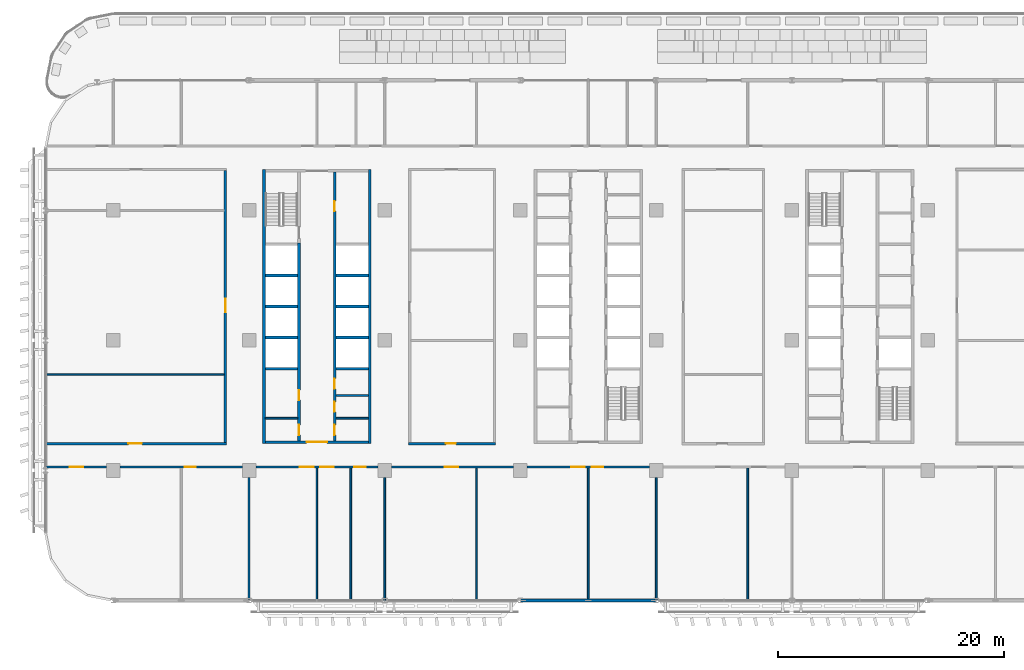
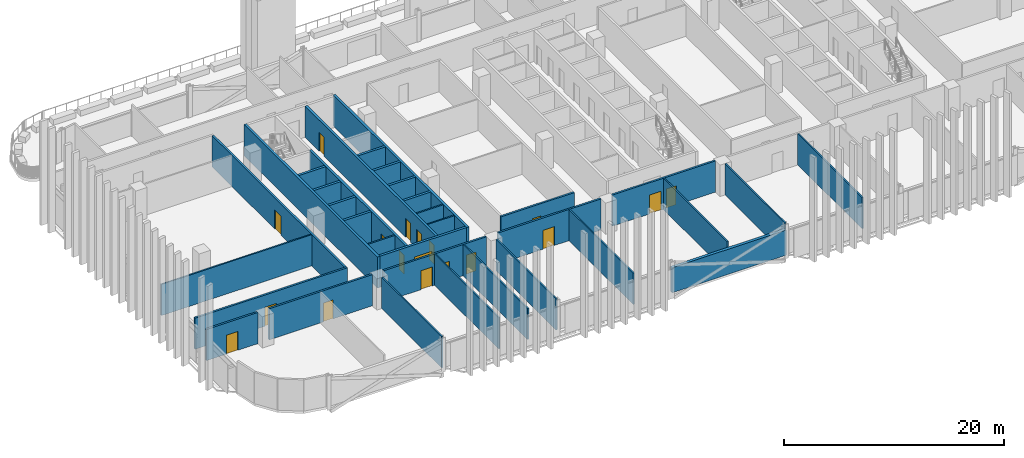
# One storey, part 10 of 30: 34 walls, 18 doors, 18 openings.
"""IFC4 building model written with IfcOpenShell, lengths in metres."""

from ifc_helpers import new_model, si_unit, direction, frame, frame_2d, origin, place, context, subcontext, project, spatial, rectangle, extrude, material, layer, layer_set, type_object, element, fill, save


model = new_model("IFC4")

# Units and contexts
model_context = context("Model", 3, precision=1e-05, world=origin(), true_north=direction((0.0, 1.0)))
body_context = subcontext(model_context, "Body", "Model", "MODEL_VIEW")
ifc_project = project(units=[si_unit("LENGTHUNIT", "METRE"), si_unit("AREAUNIT", "SQUARE_METRE"), si_unit("VOLUMEUNIT", "CUBIC_METRE"), si_unit("PLANEANGLEUNIT", "RADIAN"), si_unit("MASSUNIT", "GRAM", prefix="KILO")], contexts=[model_context])

# Site, building, storey
site_placement = place(None, origin())
site = spatial("IfcSite", under=ifc_project, at=site_placement, CompositionType="ELEMENT")
building_placement = place(site_placement, origin())
building = spatial("IfcBuilding", under=site, at=building_placement, Name="Mahtab Terrace Research Tower", CompositionType="ELEMENT")
storey_placement = place(building_placement, frame((0.0, 0.0, 159.199951171875)))
storey = spatial("IfcBuildingStorey", under=building, at=storey_placement, Name="L37", CompositionType="ELEMENT", Elevation=159.199951171875)

# Walls
ifc_material_1 = material(Name="Gypsum board partition")
ifc_layer_1 = layer(ifc_material_1, 0.14990234375)
ifc_layer_set_1 = layer_set([ifc_layer_1], Name="Core partition 150")
wall_type_1 = type_object("IfcWallType", Name="Core partition 150", PredefinedType="PARTITIONING", material=ifc_layer_set_1)
for number, where, z_axis, x_axis, name in (
    (1, (-28.550048828125, -6.875, 0.0), (0.0, 0.0, 1.0), (1.0, 0.0, 0.0), "Core wall A pWS-988"),
    (2, (-22.300048828125, -6.875, 0.0), (0.0, 0.0, 1.0), (1.0, 0.0, 0.0), "Core wall A pES-988"),
    (3, (-22.300048828125, -4.875, 0.0), (0.0, 0.0, 1.0), (1.0, 0.0, 0.0), "Core wall A pES-788"),
):
    element("IfcWall", number, at=place(storey_placement, frame(where, z_axis=z_axis, x_axis=x_axis)), inside=storey, type_object=wall_type_1, Name=name, PredefinedType="PARTITIONING", context=body_context, shape_type="SweptSolid", body=[
        extrude(rectangle(XDim=2.85009765625, YDim=0.14990234375, at=frame_2d((1.425048828125, 0.0))), origin(), (0.0, 0.0, 1.0), 3.4599609375),
    ])
ifc_material_2 = material(Name="Concrete C70/85", Category="concrete")
ifc_layer_2 = layer(ifc_material_2, 0.25)
ifc_layer_set_2 = layer_set([ifc_layer_2], Name="Core wall 250")
wall_type_2 = type_object("IfcWallType", Name="Core wall 250", PredefinedType="SOLIDWALL", material=ifc_layer_set_2)
for number, where, z_axis, x_axis, name in (
    (4, (-28.675048828125, 15.125, 0.0), (0.0, 0.0, 1.0), (0.0, -1.0, 0.0), "Core wall A outerW"),
    (5, (-19.324951171875, -9.125, 0.0), (0.0, 0.0, 1.0), (0.0, 1.0, 0.0), "Core wall A outerE"),
):
    element("IfcWall", number, at=place(storey_placement, frame(where, z_axis=z_axis, x_axis=x_axis)), inside=storey, type_object=wall_type_2, Name=name, PredefinedType="SOLIDWALL", context=body_context, shape_type="SweptSolid", body=[
        extrude(rectangle(XDim=24.25, YDim=0.25, at=frame_2d((12.125, 0.0))), origin(), (0.0, 0.0, 1.0), 3.4599609375),
    ])

# Wall, opening, door
wall_1_placement = place(storey_placement, frame((-19.449951171875, -9.0, 0.0), z_axis=(0.0, 0.0, 1.0), x_axis=(-1.0, 0.0, 0.0)))
wall_1 = element("IfcWall", 6, at=wall_1_placement, inside=storey, type_object=wall_type_2, Name="Core wall A endS", PredefinedType="SOLIDWALL", context=body_context, shape_type="SweptSolid", body=[
    extrude(rectangle(XDim=9.10009765625, YDim=0.25, at=frame_2d((4.550048828125, 0.0))), origin(), (0.0, 0.0, 1.0), 3.4599609375),
])
opening_1_placement = place(wall_1_placement, frame((3.64990234375, 0.0, 0.0)))
opening_1 = element("IfcOpeningElement", 7, at=opening_1_placement, cuts=wall_1, Name="Opening A-S1", PredefinedType="OPENING", context=body_context, shape_type="SweptSolid", body=[
    extrude(rectangle(XDim=1.800048828125, YDim=2.10009765625, at=frame_2d((0.89990234375, 1.050048828125))), frame((0.0, 0.135009765625, 0.0), z_axis=(0.0, -1.0, 0.0), x_axis=(1.0, 0.0, 0.0)), (0.0, 0.0, 1.0), 0.27001953125),
])
ifc_material_3 = material(Name="Steel fire door", Category="steel")
door_type_1 = type_object("IfcDoorType", Name="Lobby double door 1800x2100 1 HR", OperationType="DOUBLE_DOOR_SINGLE_SWING", PredefinedType="DOOR", material=ifc_material_3)
door_1_placement = place(opening_1_placement, origin())
door_1 = element("IfcDoor", 8, at=door_1_placement, inside=storey, type_object=door_type_1, Name="Core entrance door A S", OperationType="DOUBLE_DOOR_SINGLE_SWING", OverallHeight=2.10009765625, OverallWidth=1.800048828125, PredefinedType="DOOR", context=body_context, shape_type="SweptSolid", body=[
    extrude(rectangle(XDim=1.800048828125, YDim=2.10009765625, at=frame_2d((0.89990234375, 1.050048828125))), frame((0.0, 0.02490234375, 0.0), z_axis=(0.0, -1.0, 0.0), x_axis=(1.0, 0.0, 0.0)), (0.0, 0.0, 1.0), 0.050048828125),
])
fill(opening_1, door_1)

# Wall, openings, doors
wall_2_placement = place(storey_placement, frame((-25.574951171875, -8.875, 0.0), z_axis=(0.0, 0.0, 1.0), x_axis=(0.0, 1.0, 0.0)))
wall_2 = element("IfcWall", 9, at=wall_2_placement, inside=storey, type_object=wall_type_2, Name="Core wall A innerWSL", PredefinedType="SOLIDWALL", context=body_context, shape_type="SweptSolid", body=[
    extrude(rectangle(XDim=17.5, YDim=0.25, at=frame_2d((8.75, 0.0))), origin(), (0.0, 0.0, 1.0), 3.4599609375),
])
opening_2_placement = place(wall_2_placement, frame((0.512451171875, 0.0, 0.0)))
opening_2 = element("IfcOpeningElement", 10, at=opening_2_placement, cuts=wall_2, Name="Opening A-R1", PredefinedType="OPENING", context=body_context, shape_type="SweptSolid", body=[
    extrude(rectangle(XDim=0.89990234375, YDim=2.10009765625, at=frame_2d((0.449951171875, 1.050048828125))), frame((0.0, 0.135009765625, 0.0), z_axis=(0.0, -1.0, 0.0), x_axis=(1.0, 0.0, 0.0)), (0.0, 0.0, 1.0), 0.27001953125),
])
opening_3_placement = place(wall_2_placement, frame((3.58740234375, 0.0, 0.0)))
opening_3 = element("IfcOpeningElement", 11, at=opening_3_placement, cuts=wall_2, Name="Opening A-R2", PredefinedType="OPENING", context=body_context, shape_type="SweptSolid", body=[
    extrude(rectangle(XDim=0.89990234375, YDim=2.10009765625, at=frame_2d((0.449951171875, 1.050048828125))), frame((0.0, 0.135009765625, 0.0), z_axis=(0.0, -1.0, 0.0), x_axis=(1.0, 0.0, 0.0)), (0.0, 0.0, 1.0), 0.27001953125),
])
door_type_2 = type_object("IfcDoorType", Name="Room door 900x2100 1 HR", OperationType="NOTDEFINED", PredefinedType="DOOR", material=ifc_material_3)
door_2_placement = place(opening_2_placement, origin())
door_2 = element("IfcDoor", 12, at=door_2_placement, inside=storey, type_object=door_type_2, Name="Accessible WC door", OperationType="SINGLE_SWING_LEFT", OverallHeight=2.10009765625, OverallWidth=0.89990234375, PredefinedType="DOOR", context=body_context, shape_type="SweptSolid", body=[
    extrude(rectangle(XDim=0.89990234375, YDim=2.10009765625, at=frame_2d((0.449951171875, 1.050048828125))), frame((0.0, 0.02490234375, 0.0), z_axis=(0.0, -1.0, 0.0), x_axis=(1.0, 0.0, 0.0)), (0.0, 0.0, 1.0), 0.050048828125),
])
fill(opening_2, door_2)
door_3_placement = place(opening_3_placement, origin())
door_3 = element("IfcDoor", 13, at=door_3_placement, inside=storey, type_object=door_type_2, Name="WC block door", OperationType="SINGLE_SWING_RIGHT", OverallHeight=2.10009765625, OverallWidth=0.89990234375, PredefinedType="DOOR", context=body_context, shape_type="SweptSolid", body=[
    extrude(rectangle(XDim=0.89990234375, YDim=2.10009765625, at=frame_2d((0.449951171875, 1.050048828125))), frame((0.0, 0.02490234375, 0.0), z_axis=(0.0, -1.0, 0.0), x_axis=(1.0, 0.0, 0.0)), (0.0, 0.0, 1.0), 0.050048828125),
])
fill(opening_3, door_3)

wall_3_placement = place(storey_placement, frame((-22.425048828125, 14.875, 0.0), z_axis=(0.0, 0.0, 1.0), x_axis=(0.0, -1.0, 0.0)))
wall_3 = element("IfcWall", 14, at=wall_3_placement, inside=storey, type_object=wall_type_2, Name="Core wall A innerESLN", PredefinedType="SOLIDWALL", context=body_context, shape_type="SweptSolid", body=[
    extrude(rectangle(XDim=23.75, YDim=0.25, at=frame_2d((11.875, 0.0))), origin(), (0.0, 0.0, 1.0), 3.4599609375),
])
opening_4_placement = place(wall_3_placement, frame((22.33740234375, 0.0, 0.0)))
opening_4 = element("IfcOpeningElement", 15, at=opening_4_placement, cuts=wall_3, Name="Opening A-R3", PredefinedType="OPENING", context=body_context, shape_type="SweptSolid", body=[
    extrude(rectangle(XDim=0.89990234375, YDim=2.10009765625, at=frame_2d((0.449951171875, 1.050048828125))), frame((0.0, 0.135009765625, 0.0), z_axis=(0.0, -1.0, 0.0), x_axis=(1.0, 0.0, 0.0)), (0.0, 0.0, 1.0), 0.27001953125),
])
opening_5_placement = place(wall_3_placement, frame((20.300048828125, 0.0, 0.0)))
opening_5 = element("IfcOpeningElement", 16, at=opening_5_placement, cuts=wall_3, Name="Opening A-R4", PredefinedType="OPENING", context=body_context, shape_type="SweptSolid", body=[
    extrude(rectangle(XDim=0.89990234375, YDim=2.10009765625, at=frame_2d((0.449951171875, 1.050048828125))), frame((0.0, 0.135009765625, 0.0), z_axis=(0.0, -1.0, 0.0), x_axis=(1.0, 0.0, 0.0)), (0.0, 0.0, 1.0), 0.27001953125),
])
opening_6_placement = place(wall_3_placement, frame((18.262451171875, 0.0, 0.0)))
opening_6 = element("IfcOpeningElement", 17, at=opening_6_placement, cuts=wall_3, Name="Opening A-R5", PredefinedType="OPENING", context=body_context, shape_type="SweptSolid", body=[
    extrude(rectangle(XDim=0.89990234375, YDim=2.10009765625, at=frame_2d((0.449951171875, 1.050048828125))), frame((0.0, 0.135009765625, 0.0), z_axis=(0.0, -1.0, 0.0), x_axis=(1.0, 0.0, 0.0)), (0.0, 0.0, 1.0), 0.27001953125),
])
opening_7_placement = place(wall_3_placement, frame((2.550048828125, 0.0, 0.0)))
opening_7 = element("IfcOpeningElement", 18, at=opening_7_placement, cuts=wall_3, Name="Opening A-R6", PredefinedType="OPENING", context=body_context, shape_type="SweptSolid", body=[
    extrude(rectangle(XDim=0.89990234375, YDim=2.10009765625, at=frame_2d((0.449951171875, 1.050048828125))), frame((0.0, 0.135009765625, 0.0), z_axis=(0.0, -1.0, 0.0), x_axis=(1.0, 0.0, 0.0)), (0.0, 0.0, 1.0), 0.27001953125),
])
door_4_placement = place(opening_4_placement, origin())
door_4 = element("IfcDoor", 19, at=door_4_placement, inside=storey, type_object=door_type_2, Name="Comms riser room door", OperationType="SINGLE_SWING_LEFT", OverallHeight=2.10009765625, OverallWidth=0.89990234375, PredefinedType="DOOR", context=body_context, shape_type="SweptSolid", body=[
    extrude(rectangle(XDim=0.89990234375, YDim=2.10009765625, at=frame_2d((0.449951171875, 1.050048828125))), frame((0.0, 0.02490234375, 0.0), z_axis=(0.0, -1.0, 0.0), x_axis=(1.0, 0.0, 0.0)), (0.0, 0.0, 1.0), 0.050048828125),
])
fill(opening_4, door_4)
door_5_placement = place(opening_5_placement, origin())
door_5 = element("IfcDoor", 20, at=door_5_placement, inside=storey, type_object=door_type_2, Name="Pantry door", OperationType="SINGLE_SWING_RIGHT", OverallHeight=2.10009765625, OverallWidth=0.89990234375, PredefinedType="DOOR", context=body_context, shape_type="SweptSolid", body=[
    extrude(rectangle(XDim=0.89990234375, YDim=2.10009765625, at=frame_2d((0.449951171875, 1.050048828125))), frame((0.0, 0.02490234375, 0.0), z_axis=(0.0, -1.0, 0.0), x_axis=(1.0, 0.0, 0.0)), (0.0, 0.0, 1.0), 0.050048828125),
])
fill(opening_5, door_5)
door_6_placement = place(opening_6_placement, origin())
door_6 = element("IfcDoor", 21, at=door_6_placement, inside=storey, type_object=door_type_2, Name="Cleaners store door", OperationType="SINGLE_SWING_LEFT", OverallHeight=2.10009765625, OverallWidth=0.89990234375, PredefinedType="DOOR", context=body_context, shape_type="SweptSolid", body=[
    extrude(rectangle(XDim=0.89990234375, YDim=2.10009765625, at=frame_2d((0.449951171875, 1.050048828125))), frame((0.0, 0.02490234375, 0.0), z_axis=(0.0, -1.0, 0.0), x_axis=(1.0, 0.0, 0.0)), (0.0, 0.0, 1.0), 0.050048828125),
])
fill(opening_6, door_6)
door_7_placement = place(opening_7_placement, origin())
door_7 = element("IfcDoor", 22, at=door_7_placement, inside=storey, type_object=door_type_2, Name="Lift machine room door", OperationType="SINGLE_SWING_RIGHT", OverallHeight=2.10009765625, OverallWidth=0.89990234375, PredefinedType="DOOR", context=body_context, shape_type="SweptSolid", body=[
    extrude(rectangle(XDim=0.89990234375, YDim=2.10009765625, at=frame_2d((0.449951171875, 1.050048828125))), frame((0.0, 0.02490234375, 0.0), z_axis=(0.0, -1.0, 0.0), x_axis=(1.0, 0.0, 0.0)), (0.0, 0.0, 1.0), 0.050048828125),
])
fill(opening_7, door_7)

# Walls
for number, where, z_axis, x_axis, name in (
    (23, (-28.550048828125, -2.5, 0.0), (0.0, 0.0, 1.0), (1.0, 0.0, 0.0), "Core wall A divW0"),
    (24, (-28.550048828125, 0.25, 0.0), (0.0, 0.0, 1.0), (1.0, 0.0, 0.0), "Core wall A divW1"),
    (25, (-28.550048828125, 3.0, 0.0), (0.0, 0.0, 1.0), (1.0, 0.0, 0.0), "Core wall A divW2"),
    (26, (-28.550048828125, 5.75, 0.0), (0.0, 0.0, 1.0), (1.0, 0.0, 0.0), "Core wall A divW3"),
    (27, (-22.300048828125, -2.5, 0.0), (0.0, 0.0, 1.0), (1.0, 0.0, 0.0), "Core wall A divE0"),
    (28, (-22.300048828125, 0.25, 0.0), (0.0, 0.0, 1.0), (1.0, 0.0, 0.0), "Core wall A divE1"),
    (29, (-22.300048828125, 3.0, 0.0), (0.0, 0.0, 1.0), (1.0, 0.0, 0.0), "Core wall A divE2"),
    (30, (-22.300048828125, 5.75, 0.0), (0.0, 0.0, 1.0), (1.0, 0.0, 0.0), "Core wall A divE3"),
):
    element("IfcWall", number, at=place(storey_placement, frame(where, z_axis=z_axis, x_axis=x_axis)), inside=storey, type_object=wall_type_2, Name=name, PredefinedType="SOLIDWALL", context=body_context, shape_type="SweptSolid", body=[
        extrude(rectangle(XDim=2.85009765625, YDim=0.25, at=frame_2d((1.425048828125, 0.0))), origin(), (0.0, 0.0, 1.0), 3.4599609375),
    ])
ifc_material_4 = material(Name="Black aluminium cladding panel", Category="aluminium")
ifc_layer_3 = layer(ifc_material_4, 0.300048828125)
ifc_layer_set_3 = layer_set([ifc_layer_3], Name="Opaque facade wall 300")
wall_type_3 = type_object("IfcWallType", Name="Opaque facade wall 300", PredefinedType="NOTDEFINED", material=ifc_layer_set_3)
wall_4_placement = place(storey_placement, frame((-5.985107421875, -23.0, 0.0), z_axis=(0.0, 0.0, 1.0), x_axis=(1.0, 0.0, 0.0)))
element("IfcWall", 31, at=wall_4_placement, inside=storey, type_object=wall_type_3, Name="Opaque facade wall L37 S26", PredefinedType="NOTDEFINED", context=body_context, shape_type="SweptSolid", body=[
    extrude(rectangle(XDim=11.97021484375, YDim=0.300048828125, at=frame_2d((5.985107421875, 0.0))), origin(), (0.0, 0.0, 1.0), 2.78173828125),
])

# Wall, opening, door
ifc_material_5 = material(Name="Gypsum board corridor wall on steel studs", Category="steel")
ifc_layer_4 = layer(ifc_material_5, 0.199951171875)
ifc_layer_set_4 = layer_set([ifc_layer_4], Name="WALL CORRIDOR 200")
wall_type_4 = type_object("IfcWallType", Name="WALL CORRIDOR 200", PredefinedType="PARTITIONING", material=ifc_layer_set_4)
wall_5_placement = place(storey_placement, frame((-47.97509765625, -11.199951171875, 0.0), z_axis=(0.0, 0.0, 1.0), x_axis=(1.0, 0.0, 0.0)))
wall_5 = element("IfcWall", 32, at=wall_5_placement, inside=storey, type_object=wall_type_4, Name="L37-W001", PredefinedType="PARTITIONING", context=body_context, shape_type="SweptSolid", body=[
    extrude(rectangle(XDim=5.375, YDim=0.199951171875, at=frame_2d((2.6875, 0.0))), origin(), (0.0, 0.0, 1.0), 3.4599609375),
])
opening_8_placement = place(wall_5_placement, frame((2.10009765625, 0.0, 0.0)))
opening_8 = element("IfcOpeningElement", 33, at=opening_8_placement, cuts=wall_5, Name="Opening L37-101", PredefinedType="OPENING", context=body_context, shape_type="SweptSolid", body=[
    extrude(rectangle(XDim=1.199951171875, YDim=2.10009765625, at=frame_2d((0.60009765625, 1.050048828125))), frame((0.0, 0.10986328125, 0.0), z_axis=(0.0, -1.0, 0.0), x_axis=(1.0, 0.0, 0.0)), (0.0, 0.0, 1.0), 0.219970703125),
])
ifc_material_6 = material(Name="Timber door leaf in steel frame", Category="steel")
door_type_3 = type_object("IfcDoorType", Name="DOOR 1200X2100 FD30S", OperationType="SINGLE_SWING_LEFT", PredefinedType="DOOR", material=ifc_material_6)
door_8_placement = place(opening_8_placement, origin())
door_8 = element("IfcDoor", 34, at=door_8_placement, inside=storey, type_object=door_type_3, Name="Door L37-101", OperationType="SINGLE_SWING_LEFT", OverallHeight=2.10009765625, OverallWidth=1.199951171875, PredefinedType="DOOR", context=body_context, shape_type="SweptSolid", body=[
    extrude(rectangle(XDim=1.199951171875, YDim=2.10009765625, at=frame_2d((0.60009765625, 1.050048828125))), frame((0.0, 0.02490234375, 0.0), z_axis=(0.0, -1.0, 0.0), x_axis=(1.0, 0.0, 0.0)), (0.0, 0.0, 1.0), 0.050048828125),
])
fill(opening_8, door_8)

wall_6_placement = place(storey_placement, frame((-41.39990234375, -11.199951171875, 0.0), z_axis=(0.0, 0.0, 1.0), x_axis=(1.0, 0.0, 0.0)))
wall_6 = element("IfcWall", 35, at=wall_6_placement, inside=storey, type_object=wall_type_4, Name="L37-W002", PredefinedType="PARTITIONING", context=body_context, shape_type="SweptSolid", body=[
    extrude(rectangle(XDim=10.7998046875, YDim=0.199951171875, at=frame_2d((5.39990234375, 0.0))), origin(), (0.0, 0.0, 1.0), 3.4599609375),
])
opening_9_placement = place(wall_6_placement, frame((5.699951171875, 0.0, 0.0)))
opening_9 = element("IfcOpeningElement", 36, at=opening_9_placement, cuts=wall_6, Name="Opening L37-102", PredefinedType="OPENING", context=body_context, shape_type="SweptSolid", body=[
    extrude(rectangle(XDim=1.0, YDim=2.10009765625, at=frame_2d((0.5, 1.050048828125))), frame((0.0, 0.10986328125, 0.0), z_axis=(0.0, -1.0, 0.0), x_axis=(1.0, 0.0, 0.0)), (0.0, 0.0, 1.0), 0.219970703125),
])
door_type_4 = type_object("IfcDoorType", Name="DOOR 1000X2100 FD30S", OperationType="SINGLE_SWING_LEFT", PredefinedType="DOOR", material=ifc_material_6)
door_9_placement = place(opening_9_placement, origin())
door_9 = element("IfcDoor", 37, at=door_9_placement, inside=storey, type_object=door_type_4, Name="Door L37-102", OperationType="SINGLE_SWING_LEFT", OverallHeight=2.10009765625, OverallWidth=1.0, PredefinedType="DOOR", context=body_context, shape_type="SweptSolid", body=[
    extrude(rectangle(XDim=1.0, YDim=2.10009765625, at=frame_2d((0.5, 1.050048828125))), frame((0.0, 0.02490234375, 0.0), z_axis=(0.0, -1.0, 0.0), x_axis=(1.0, 0.0, 0.0)), (0.0, 0.0, 1.0), 0.050048828125),
])
fill(opening_9, door_9)

# Wall, openings, doors
wall_7_placement = place(storey_placement, frame((-29.39990234375, -11.199951171875, 0.0), z_axis=(0.0, 0.0, 1.0), x_axis=(1.0, 0.0, 0.0)))
wall_7 = element("IfcWall", 38, at=wall_7_placement, inside=storey, type_object=wall_type_4, Name="L37-W003", PredefinedType="PARTITIONING", context=body_context, shape_type="SweptSolid", body=[
    extrude(rectangle(XDim=10.7998046875, YDim=0.199951171875, at=frame_2d((5.39990234375, 0.0))), origin(), (0.0, 0.0, 1.0), 3.4599609375),
])
opening_10_placement = place(wall_7_placement, frame((3.89990234375, 0.0, 0.0)))
opening_10 = element("IfcOpeningElement", 39, at=opening_10_placement, cuts=wall_7, Name="Opening L37-103", PredefinedType="OPENING", context=body_context, shape_type="SweptSolid", body=[
    extrude(rectangle(XDim=1.199951171875, YDim=2.10009765625, at=frame_2d((0.60009765625, 1.050048828125))), frame((0.0, 0.10986328125, 0.0), z_axis=(0.0, -1.0, 0.0), x_axis=(1.0, 0.0, 0.0)), (0.0, 0.0, 1.0), 0.219970703125),
])
opening_11_placement = place(wall_7_placement, frame((5.699951171875, 0.0, 0.0)))
opening_11 = element("IfcOpeningElement", 40, at=opening_11_placement, cuts=wall_7, Name="Opening L37-104", PredefinedType="OPENING", context=body_context, shape_type="SweptSolid", body=[
    extrude(rectangle(XDim=1.199951171875, YDim=2.10009765625, at=frame_2d((0.60009765625, 1.050048828125))), frame((0.0, 0.10986328125, 0.0), z_axis=(0.0, -1.0, 0.0), x_axis=(1.0, 0.0, 0.0)), (0.0, 0.0, 1.0), 0.219970703125),
])
opening_12_placement = place(wall_7_placement, frame((8.699951171875, 0.0, 0.0)))
opening_12 = element("IfcOpeningElement", 41, at=opening_12_placement, cuts=wall_7, Name="Opening L37-105", PredefinedType="OPENING", context=body_context, shape_type="SweptSolid", body=[
    extrude(rectangle(XDim=1.0, YDim=2.10009765625, at=frame_2d((0.5, 1.050048828125))), frame((0.0, 0.10986328125, 0.0), z_axis=(0.0, -1.0, 0.0), x_axis=(1.0, 0.0, 0.0)), (0.0, 0.0, 1.0), 0.219970703125),
])
door_10_placement = place(opening_12_placement, origin())
door_10 = element("IfcDoor", 42, at=door_10_placement, inside=storey, type_object=door_type_4, Name="Door L37-105", OperationType="SINGLE_SWING_LEFT", OverallHeight=2.10009765625, OverallWidth=1.0, PredefinedType="DOOR", context=body_context, shape_type="SweptSolid", body=[
    extrude(rectangle(XDim=1.0, YDim=2.10009765625, at=frame_2d((0.5, 1.050048828125))), frame((0.0, 0.02490234375, 0.0), z_axis=(0.0, -1.0, 0.0), x_axis=(1.0, 0.0, 0.0)), (0.0, 0.0, 1.0), 0.050048828125),
])
fill(opening_12, door_10)
door_11_placement = place(opening_10_placement, origin())
door_11 = element("IfcDoor", 43, at=door_11_placement, inside=storey, type_object=door_type_3, Name="Door L37-103", OperationType="SINGLE_SWING_RIGHT", OverallHeight=2.10009765625, OverallWidth=1.199951171875, PredefinedType="DOOR", context=body_context, shape_type="SweptSolid", body=[
    extrude(rectangle(XDim=1.199951171875, YDim=2.10009765625, at=frame_2d((0.60009765625, 1.050048828125))), frame((0.0, 0.02490234375, 0.0), z_axis=(0.0, -1.0, 0.0), x_axis=(1.0, 0.0, 0.0)), (0.0, 0.0, 1.0), 0.050048828125),
])
fill(opening_10, door_11)
door_12_placement = place(opening_11_placement, origin())
door_12 = element("IfcDoor", 44, at=door_12_placement, inside=storey, type_object=door_type_3, Name="Door L37-104", OperationType="SINGLE_SWING_LEFT", OverallHeight=2.10009765625, OverallWidth=1.199951171875, PredefinedType="DOOR", context=body_context, shape_type="SweptSolid", body=[
    extrude(rectangle(XDim=1.199951171875, YDim=2.10009765625, at=frame_2d((0.60009765625, 1.050048828125))), frame((0.0, 0.02490234375, 0.0), z_axis=(0.0, -1.0, 0.0), x_axis=(1.0, 0.0, 0.0)), (0.0, 0.0, 1.0), 0.050048828125),
])
fill(opening_11, door_12)

# Wall, opening, door
wall_8_placement = place(storey_placement, frame((-17.39990234375, -11.199951171875, 0.0), z_axis=(0.0, 0.0, 1.0), x_axis=(1.0, 0.0, 0.0)))
wall_8 = element("IfcWall", 45, at=wall_8_placement, inside=storey, type_object=wall_type_4, Name="L37-W004", PredefinedType="PARTITIONING", context=body_context, shape_type="SweptSolid", body=[
    extrude(rectangle(XDim=10.7998046875, YDim=0.199951171875, at=frame_2d((5.39990234375, 0.0))), origin(), (0.0, 0.0, 1.0), 3.4599609375),
])
opening_13_placement = place(wall_8_placement, frame((4.699951171875, 0.0, 0.0)))
opening_13 = element("IfcOpeningElement", 46, at=opening_13_placement, cuts=wall_8, Name="Opening L37-106", PredefinedType="OPENING", context=body_context, shape_type="SweptSolid", body=[
    extrude(rectangle(XDim=1.199951171875, YDim=2.10009765625, at=frame_2d((0.60009765625, 1.050048828125))), frame((0.0, 0.10986328125, 0.0), z_axis=(0.0, -1.0, 0.0), x_axis=(1.0, 0.0, 0.0)), (0.0, 0.0, 1.0), 0.219970703125),
])
door_13_placement = place(opening_13_placement, origin())
door_13 = element("IfcDoor", 47, at=door_13_placement, inside=storey, type_object=door_type_3, Name="Door L37-106", OperationType="SINGLE_SWING_RIGHT", OverallHeight=2.10009765625, OverallWidth=1.199951171875, PredefinedType="DOOR", context=body_context, shape_type="SweptSolid", body=[
    extrude(rectangle(XDim=1.199951171875, YDim=2.10009765625, at=frame_2d((0.60009765625, 1.050048828125))), frame((0.0, 0.02490234375, 0.0), z_axis=(0.0, -1.0, 0.0), x_axis=(1.0, 0.0, 0.0)), (0.0, 0.0, 1.0), 0.050048828125),
])
fill(opening_13, door_13)

# Wall, openings, doors
wall_9_placement = place(storey_placement, frame((-5.39990234375, -11.199951171875, 0.0), z_axis=(0.0, 0.0, 1.0), x_axis=(1.0, 0.0, 0.0)))
wall_9 = element("IfcWall", 48, at=wall_9_placement, inside=storey, type_object=wall_type_4, Name="L37-W005", PredefinedType="PARTITIONING", context=body_context, shape_type="SweptSolid", body=[
    extrude(rectangle(XDim=10.7998046875, YDim=0.199951171875, at=frame_2d((5.39990234375, 0.0))), origin(), (0.0, 0.0, 1.0), 3.4599609375),
])
opening_14_placement = place(wall_9_placement, frame((3.89990234375, 0.0, 0.0)))
opening_14 = element("IfcOpeningElement", 49, at=opening_14_placement, cuts=wall_9, Name="Opening L37-107", PredefinedType="OPENING", context=body_context, shape_type="SweptSolid", body=[
    extrude(rectangle(XDim=1.199951171875, YDim=2.10009765625, at=frame_2d((0.60009765625, 1.050048828125))), frame((0.0, 0.10986328125, 0.0), z_axis=(0.0, -1.0, 0.0), x_axis=(1.0, 0.0, 0.0)), (0.0, 0.0, 1.0), 0.219970703125),
])
opening_15_placement = place(wall_9_placement, frame((5.699951171875, 0.0, 0.0)))
opening_15 = element("IfcOpeningElement", 50, at=opening_15_placement, cuts=wall_9, Name="Opening L37-108", PredefinedType="OPENING", context=body_context, shape_type="SweptSolid", body=[
    extrude(rectangle(XDim=1.0, YDim=2.10009765625, at=frame_2d((0.5, 1.050048828125))), frame((0.0, 0.10986328125, 0.0), z_axis=(0.0, -1.0, 0.0), x_axis=(1.0, 0.0, 0.0)), (0.0, 0.0, 1.0), 0.219970703125),
])
door_14_placement = place(opening_15_placement, origin())
door_14 = element("IfcDoor", 51, at=door_14_placement, inside=storey, type_object=door_type_4, Name="Door L37-108", OperationType="SINGLE_SWING_LEFT", OverallHeight=2.10009765625, OverallWidth=1.0, PredefinedType="DOOR", context=body_context, shape_type="SweptSolid", body=[
    extrude(rectangle(XDim=1.0, YDim=2.10009765625, at=frame_2d((0.5, 1.050048828125))), frame((0.0, 0.02490234375, 0.0), z_axis=(0.0, -1.0, 0.0), x_axis=(1.0, 0.0, 0.0)), (0.0, 0.0, 1.0), 0.050048828125),
])
fill(opening_15, door_14)
door_15_placement = place(opening_14_placement, origin())
door_15 = element("IfcDoor", 52, at=door_15_placement, inside=storey, type_object=door_type_3, Name="Door L37-107", OperationType="SINGLE_SWING_RIGHT", OverallHeight=2.10009765625, OverallWidth=1.199951171875, PredefinedType="DOOR", context=body_context, shape_type="SweptSolid", body=[
    extrude(rectangle(XDim=1.199951171875, YDim=2.10009765625, at=frame_2d((0.60009765625, 1.050048828125))), frame((0.0, 0.02490234375, 0.0), z_axis=(0.0, -1.0, 0.0), x_axis=(1.0, 0.0, 0.0)), (0.0, 0.0, 1.0), 0.050048828125),
])
fill(opening_14, door_15)

# Wall, opening, door
wall_10_placement = place(storey_placement, frame((-47.97509765625, -9.125, 0.0), z_axis=(0.0, 0.0, 1.0), x_axis=(1.0, 0.0, 0.0)))
wall_10 = element("IfcWall", 53, at=wall_10_placement, inside=storey, type_object=wall_type_4, Name="L37-W010", PredefinedType="PARTITIONING", context=body_context, shape_type="SweptSolid", body=[
    extrude(rectangle(XDim=15.97509765625, YDim=0.199951171875, at=frame_2d((7.987548828125, 0.0))), origin(), (0.0, 0.0, 1.0), 3.4599609375),
])
opening_16_placement = place(wall_10_placement, frame((7.300048828125, 0.0, 0.0)))
opening_16 = element("IfcOpeningElement", 54, at=opening_16_placement, cuts=wall_10, Name="Opening L37-115", PredefinedType="OPENING", context=body_context, shape_type="SweptSolid", body=[
    extrude(rectangle(XDim=1.199951171875, YDim=2.10009765625, at=frame_2d((0.60009765625, 1.050048828125))), frame((0.0, 0.10986328125, 0.0), z_axis=(0.0, -1.0, 0.0), x_axis=(1.0, 0.0, 0.0)), (0.0, 0.0, 1.0), 0.219970703125),
])
door_16_placement = place(opening_16_placement, origin())
door_16 = element("IfcDoor", 55, at=door_16_placement, inside=storey, type_object=door_type_3, Name="Door L37-115", OperationType="SINGLE_SWING_LEFT", OverallHeight=2.10009765625, OverallWidth=1.199951171875, PredefinedType="DOOR", context=body_context, shape_type="SweptSolid", body=[
    extrude(rectangle(XDim=1.199951171875, YDim=2.10009765625, at=frame_2d((0.60009765625, 1.050048828125))), frame((0.0, 0.02490234375, 0.0), z_axis=(0.0, -1.0, 0.0), x_axis=(1.0, 0.0, 0.0)), (0.0, 0.0, 1.0), 0.050048828125),
])
fill(opening_16, door_16)

wall_11_placement = place(storey_placement, frame((-15.89990234375, -9.125, 0.0), z_axis=(0.0, 0.0, 1.0), x_axis=(1.0, 0.0, 0.0)))
wall_11 = element("IfcWall", 56, at=wall_11_placement, inside=storey, type_object=wall_type_4, Name="L37-W011", PredefinedType="PARTITIONING", context=body_context, shape_type="SweptSolid", body=[
    extrude(rectangle(XDim=7.699951171875, YDim=0.199951171875, at=frame_2d((3.85009765625, 0.0))), origin(), (0.0, 0.0, 1.0), 3.4599609375),
])
opening_17_placement = place(wall_11_placement, frame((3.300048828125, 0.0, 0.0)))
opening_17 = element("IfcOpeningElement", 57, at=opening_17_placement, cuts=wall_11, Name="Opening L37-117", PredefinedType="OPENING", context=body_context, shape_type="SweptSolid", body=[
    extrude(rectangle(XDim=0.89990234375, YDim=2.10009765625, at=frame_2d((0.449951171875, 1.050048828125))), frame((0.0, 0.10986328125, 0.0), z_axis=(0.0, -1.0, 0.0), x_axis=(1.0, 0.0, 0.0)), (0.0, 0.0, 1.0), 0.219970703125),
])
door_type_5 = type_object("IfcDoorType", Name="DOOR 0900X2100 FD30S", OperationType="SINGLE_SWING_LEFT", PredefinedType="DOOR", material=ifc_material_6)
door_17_placement = place(opening_17_placement, origin())
door_17 = element("IfcDoor", 58, at=door_17_placement, inside=storey, type_object=door_type_5, Name="Door L37-117", OperationType="SINGLE_SWING_LEFT", OverallHeight=2.10009765625, OverallWidth=0.89990234375, PredefinedType="DOOR", context=body_context, shape_type="SweptSolid", body=[
    extrude(rectangle(XDim=0.89990234375, YDim=2.10009765625, at=frame_2d((0.449951171875, 1.050048828125))), frame((0.0, 0.02490234375, 0.0), z_axis=(0.0, -1.0, 0.0), x_axis=(1.0, 0.0, 0.0)), (0.0, 0.0, 1.0), 0.050048828125),
])
fill(opening_17, door_17)

wall_12_placement = place(storey_placement, frame((-32.10009765625, -9.02490234375, 0.0), z_axis=(0.0, 0.0, 1.0), x_axis=(0.0, 1.0, 0.0)))
wall_12 = element("IfcWall", 59, at=wall_12_placement, inside=storey, type_object=wall_type_4, Name="L37-W032", PredefinedType="PARTITIONING", context=body_context, shape_type="SweptSolid", body=[
    extrude(rectangle(XDim=24.0498046875, YDim=0.199951171875, at=frame_2d((12.02490234375, 0.0))), origin(), (0.0, 0.0, 1.0), 3.4599609375),
])
opening_18_placement = place(wall_12_placement, frame((11.5, 0.0, 0.0)))
opening_18 = element("IfcOpeningElement", 60, at=opening_18_placement, cuts=wall_12, Name="Opening L37-119", PredefinedType="OPENING", context=body_context, shape_type="SweptSolid", body=[
    extrude(rectangle(XDim=1.199951171875, YDim=2.10009765625, at=frame_2d((0.60009765625, 1.050048828125))), frame((0.0, 0.10986328125, 0.0), z_axis=(0.0, -1.0, 0.0), x_axis=(1.0, 0.0, 0.0)), (0.0, 0.0, 1.0), 0.219970703125),
])
door_18_placement = place(opening_18_placement, origin())
door_18 = element("IfcDoor", 61, at=door_18_placement, inside=storey, type_object=door_type_3, Name="Door L37-119", OperationType="SINGLE_SWING_RIGHT", OverallHeight=2.10009765625, OverallWidth=1.199951171875, PredefinedType="DOOR", context=body_context, shape_type="SweptSolid", body=[
    extrude(rectangle(XDim=1.199951171875, YDim=2.10009765625, at=frame_2d((0.60009765625, 1.050048828125))), frame((0.0, 0.02490234375, 0.0), z_axis=(0.0, -1.0, 0.0), x_axis=(1.0, 0.0, 0.0)), (0.0, 0.0, 1.0), 0.050048828125),
])
fill(opening_18, door_18)

# Walls
ifc_material_7 = material(Name="Gypsum board partition on steel studs", Category="steel")
ifc_layer_5 = layer(ifc_material_7, 0.14990234375)
ifc_layer_set_5 = layer_set([ifc_layer_5], Name="WALL PARTITION 150")
wall_type_5 = type_object("IfcWallType", Name="WALL PARTITION 150", PredefinedType="PARTITIONING", material=ifc_layer_set_5)
wall_13_placement = place(storey_placement, frame((-47.97509765625, -3.0, 0.0), z_axis=(0.0, 0.0, 1.0), x_axis=(1.0, 0.0, 0.0)))
element("IfcWall", 62, at=wall_13_placement, inside=storey, type_object=wall_type_5, Name="L37-W014", PredefinedType="PARTITIONING", context=body_context, shape_type="SweptSolid", body=[
    extrude(rectangle(XDim=15.775146484375, YDim=0.14990234375, at=frame_2d((7.8876953125, 0.0))), origin(), (0.0, 0.0, 1.0), 3.4599609375),
])
wall_14_placement = place(storey_placement, frame((-30.0, -22.97509765625, 0.0), z_axis=(0.0, 0.0, 1.0), x_axis=(0.0, 1.0, 0.0)))
element("IfcWall", 63, at=wall_14_placement, inside=storey, type_object=wall_type_5, Name="L37-W033", PredefinedType="PARTITIONING", context=body_context, shape_type="SweptSolid", body=[
    extrude(rectangle(XDim=10.875, YDim=0.14990234375, at=frame_2d((5.4375, 0.0))), origin(), (0.0, 0.0, 1.0), 3.4599609375),
])
for number, where, z_axis, x_axis, name in (
    (64, (-24.0, -22.97509765625, 0.0), (0.0, 0.0, 1.0), (0.0, 1.0, 0.0), "L37-W034"),
    (65, (-21.0, -22.97509765625, 0.0), (0.0, 0.0, 1.0), (0.0, 1.0, 0.0), "L37-W036"),
):
    element("IfcWall", number, at=place(storey_placement, frame(where, z_axis=z_axis, x_axis=x_axis)), inside=storey, type_object=wall_type_5, Name=name, PredefinedType="PARTITIONING", context=body_context, shape_type="SweptSolid", body=[
        extrude(rectangle(XDim=11.675048828125, YDim=0.14990234375, at=frame_2d((5.83740234375, 0.0))), origin(), (0.0, 0.0, 1.0), 3.4599609375),
    ])
wall_15_placement = place(storey_placement, frame((-18.0, -22.97509765625, 0.0), z_axis=(0.0, 0.0, 1.0), x_axis=(0.0, 1.0, 0.0)))
element("IfcWall", 66, at=wall_15_placement, inside=storey, type_object=wall_type_5, Name="L37-W038", PredefinedType="PARTITIONING", context=body_context, shape_type="SweptSolid", body=[
    extrude(rectangle(XDim=10.875, YDim=0.14990234375, at=frame_2d((5.4375, 0.0))), origin(), (0.0, 0.0, 1.0), 3.4599609375),
])
wall_16_placement = place(storey_placement, frame((-9.89990234375, -22.97509765625, 0.0), z_axis=(0.0, 0.0, 1.0), x_axis=(0.0, 1.0, 0.0)))
element("IfcWall", 67, at=wall_16_placement, inside=storey, type_object=wall_type_5, Name="L37-W041", PredefinedType="PARTITIONING", context=body_context, shape_type="SweptSolid", body=[
    extrude(rectangle(XDim=11.675048828125, YDim=0.14990234375, at=frame_2d((5.83740234375, 0.0))), origin(), (0.0, 0.0, 1.0), 3.4599609375),
])
wall_17_placement = place(storey_placement, frame((0.0, -22.85009765625, 0.0), z_axis=(0.0, 0.0, 1.0), x_axis=(0.0, 1.0, 0.0)))
element("IfcWall", 68, at=wall_17_placement, inside=storey, type_object=wall_type_5, Name="L37-W044", PredefinedType="PARTITIONING", context=body_context, shape_type="SweptSolid", body=[
    extrude(rectangle(XDim=11.550048828125, YDim=0.14990234375, at=frame_2d((5.77490234375, 0.0))), origin(), (0.0, 0.0, 1.0), 3.4599609375),
])
wall_18_placement = place(storey_placement, frame((6.0, -22.97509765625, 0.0), z_axis=(0.0, 0.0, 1.0), x_axis=(0.0, 1.0, 0.0)))
element("IfcWall", 69, at=wall_18_placement, inside=storey, type_object=wall_type_5, Name="L37-W047", PredefinedType="PARTITIONING", context=body_context, shape_type="SweptSolid", body=[
    extrude(rectangle(XDim=10.875, YDim=0.14990234375, at=frame_2d((5.4375, 0.0))), origin(), (0.0, 0.0, 1.0), 3.4599609375),
])
wall_19_placement = place(storey_placement, frame((14.10009765625, -22.97509765625, 0.0), z_axis=(0.0, 0.0, 1.0), x_axis=(0.0, 1.0, 0.0)))
element("IfcWall", 70, at=wall_19_placement, inside=storey, type_object=wall_type_5, Name="L37-W050", PredefinedType="PARTITIONING", context=body_context, shape_type="SweptSolid", body=[
    extrude(rectangle(XDim=11.675048828125, YDim=0.14990234375, at=frame_2d((5.83740234375, 0.0))), origin(), (0.0, 0.0, 1.0), 3.4599609375),
])

save(model, "model.ifc")
